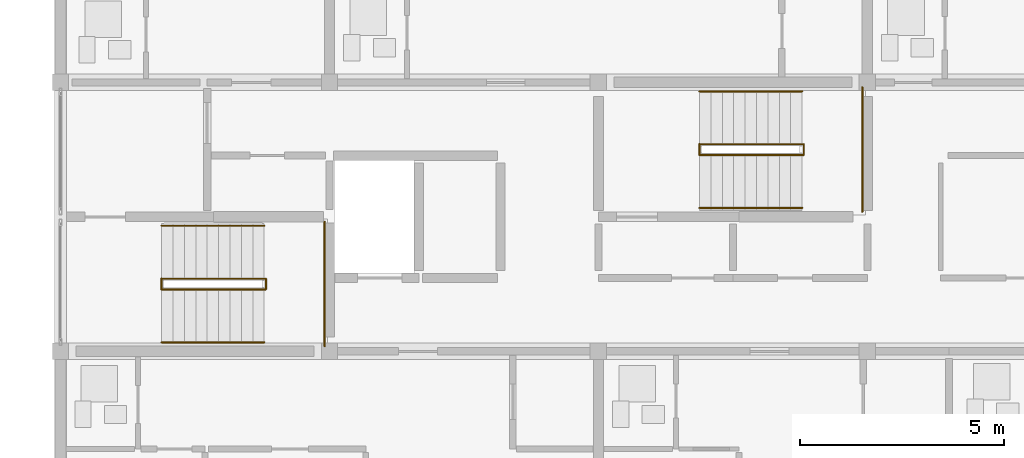
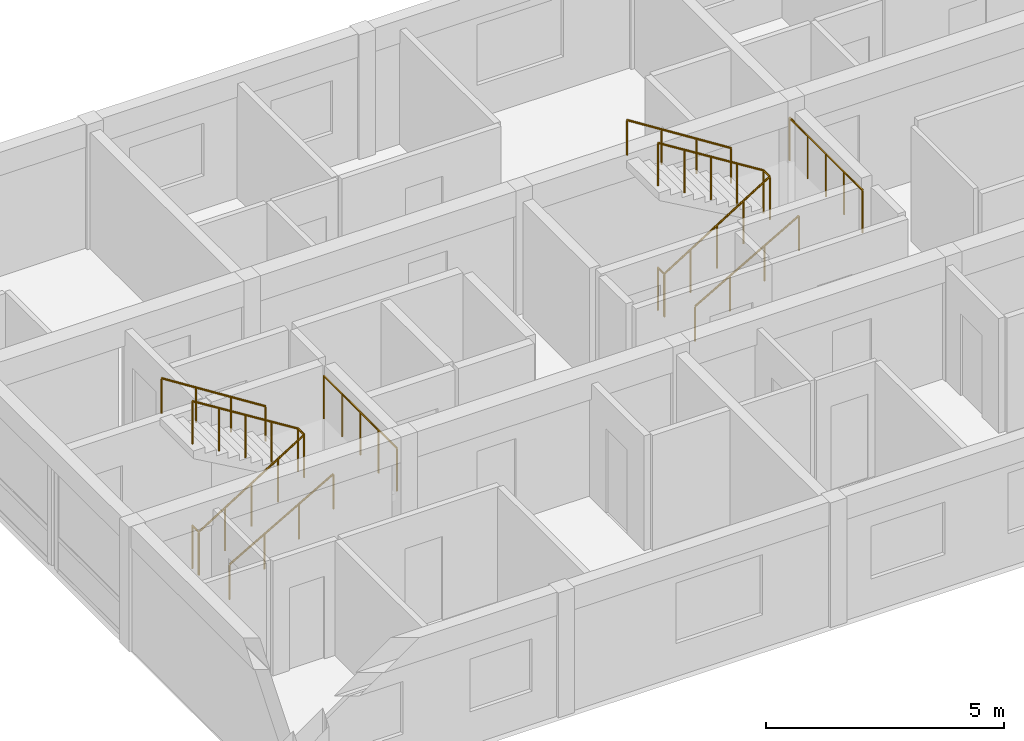
# One storey, part 32 of 34: 10 railings.
"""IFC4 building model written with IfcOpenShell, lengths in metres."""

from ifc_helpers import new_model, si_unit, direction, frame, origin, origin_2d, place, context, subcontext, project, spatial, circle, extrude, material, type_object, element, save


model = new_model("IFC4")

# Units and contexts
model_context = context("Model", 3, precision=1e-05, world=origin(), true_north=direction((0.0, 1.0)))
body_context = subcontext(model_context, "Body", "Model", "MODEL_VIEW")
ifc_project = project(units=[si_unit("LENGTHUNIT", "METRE"), si_unit("AREAUNIT", "SQUARE_METRE"), si_unit("VOLUMEUNIT", "CUBIC_METRE"), si_unit("PLANEANGLEUNIT", "RADIAN"), si_unit("MASSUNIT", "GRAM", prefix="KILO")], contexts=[model_context])

# Site, building, storey
site_placement = place(None, origin())
site = spatial("IfcSite", under=ifc_project, at=site_placement, CompositionType="ELEMENT")
building_placement = place(site_placement, origin())
building = spatial("IfcBuilding", under=site, at=building_placement, Name="Kernevlak Ridge Housing Community", CompositionType="ELEMENT")
storey_placement = place(building_placement, frame((0.0, 0.0, 40.39990234375)))
storey = spatial("IfcBuildingStorey", under=building, at=storey_placement, Name="L12", CompositionType="ELEMENT", Elevation=40.39990234375)

# Railings
ifc_material_1 = material(Name="Steel S355", Category="steel")
railing_type_1 = type_object("IfcRailingType", Name="GR-02", PredefinedType="GUARDRAIL", material=ifc_material_1)
railing_1_placement = place(storey_placement, frame((121.8798828125, 90.7099609375, 0.0)))
element("IfcRailing", 1, at=railing_1_placement, inside=storey, type_object=railing_type_1, Name="Stair ST-B1 L12 well slot guard", PredefinedType="GUARDRAIL", context=body_context, shape_type="SweptSolid", body=[
    extrude(circle(Radius=0.02392578125, at=origin_2d()), frame((0.0, 0.0, 1.09619140625), z_axis=(0.0, 1.0, 0.0), x_axis=(-1.0, 0.0, 0.0)), (0.0, 0.0, 1.0), 0.280029296875),
    extrude(circle(Radius=0.02099609375, at=origin_2d()), origin(), (0.0, 0.0, 1.0), 1.072021484375),
    extrude(circle(Radius=0.02099609375, at=origin_2d()), frame((0.0, 0.280029296875, 0.0)), (0.0, 0.0, 1.0), 1.072021484375),
])
railing_2_placement = place(storey_placement, frame((121.8798828125, 90.719970703125, 0.0)))
element("IfcRailing", 2, at=railing_2_placement, inside=storey, type_object=railing_type_1, Name="Stair ST-B1 L12 inner well guardrail", PredefinedType="GUARDRAIL", context=body_context, shape_type="SweptSolid", body=[
    extrude(circle(Radius=0.02392578125, at=origin_2d()), frame((0.0, 0.0, 1.09619140625), z_axis=(0.847989217509, 0.0, 0.530013478119), x_axis=(0.0, 1.0, 0.0)), (0.0, 0.0, 1.0), 3.01904296875),
    extrude(circle(Radius=0.02392578125, at=origin_2d()), frame((2.56005859375, 0.0, 2.6962890625), z_axis=(0.0, 1.0, 0.0), x_axis=(-1.0, 0.0, 0.0)), (0.0, 0.0, 1.0), 0.260009765625),
    extrude(circle(Radius=0.02392578125, at=origin_2d()), frame((2.56005859375, 0.260009765625, 2.6962890625), z_axis=(-0.847989217509, 0.0, 0.530013478119), x_axis=(0.0, -1.0, 0.0)), (0.0, 0.0, 1.0), 3.01904296875),
    extrude(circle(Radius=0.02099609375, at=origin_2d()), origin(), (0.0, 0.0, 1.0), 1.072021484375),
    extrude(circle(Radius=0.02099609375, at=origin_2d()), frame((0.64013671875, 0.0, 0.39990234375)), (0.0, 0.0, 1.0), 1.072021484375),
    extrude(circle(Radius=0.02099609375, at=origin_2d()), frame((1.280029296875, 0.0, 0.800048828125)), (0.0, 0.0, 1.0), 1.072021484375),
    extrude(circle(Radius=0.02099609375, at=origin_2d()), frame((1.919921875, 0.0, 1.2001953125)), (0.0, 0.0, 1.0), 1.072021484375),
    extrude(circle(Radius=0.02099609375, at=origin_2d()), frame((2.56005859375, 0.0, 1.60009765625)), (0.0, 0.0, 1.0), 1.072021484375),
    extrude(circle(Radius=0.02099609375, at=origin_2d()), frame((2.56005859375, 0.260009765625, 1.60009765625)), (0.0, 0.0, 1.0), 1.072021484375),
    extrude(circle(Radius=0.02099609375, at=origin_2d()), frame((1.919921875, 0.260009765625, 2.0)), (0.0, 0.0, 1.0), 1.072021484375),
    extrude(circle(Radius=0.02099609375, at=origin_2d()), frame((1.280029296875, 0.260009765625, 2.400146484375)), (0.0, 0.0, 1.0), 1.072021484375),
    extrude(circle(Radius=0.02099609375, at=origin_2d()), frame((0.64013671875, 0.260009765625, 2.80029296875)), (0.0, 0.0, 1.0), 1.072021484375),
    extrude(circle(Radius=0.02099609375, at=origin_2d()), frame((0.0, 0.260009765625, 3.2001953125)), (0.0, 0.0, 1.0), 1.072021484375),
])
railing_3_placement = place(storey_placement, frame((125.8798828125, 89.320068359375, 1.60009765625)))
element("IfcRailing", 3, at=railing_3_placement, inside=storey, type_object=railing_type_1, Name="Stair ST-B1 L12 half-landing guard", PredefinedType="GUARDRAIL", context=body_context, shape_type="SweptSolid", body=[
    extrude(circle(Radius=0.02392578125, at=origin_2d()), frame((0.0, 0.0, 1.09619140625), z_axis=(0.0, 1.0, 0.0), x_axis=(-1.0, 0.0, 0.0)), (0.0, 0.0, 1.0), 3.059814453125),
    extrude(circle(Radius=0.02099609375, at=origin_2d()), origin(), (0.0, 0.0, 1.0), 1.072021484375),
    extrude(circle(Radius=0.02099609375, at=origin_2d()), frame((0.0, 0.764892578125, 0.0)), (0.0, 0.0, 1.0), 1.072021484375),
    extrude(circle(Radius=0.02099609375, at=origin_2d()), frame((0.0, 1.52978515625, 0.0)), (0.0, 0.0, 1.0), 1.072021484375),
    extrude(circle(Radius=0.02099609375, at=origin_2d()), frame((0.0, 2.294921875, 0.0)), (0.0, 0.0, 1.0), 1.072021484375),
    extrude(circle(Radius=0.02099609375, at=origin_2d()), frame((0.0, 3.059814453125, 0.0)), (0.0, 0.0, 1.0), 1.072021484375),
])
railing_4_placement = place(storey_placement, frame((135.080078125, 94.010009765625, 0.0)))
element("IfcRailing", 4, at=railing_4_placement, inside=storey, type_object=railing_type_1, Name="Stair ST-B2 L12 well slot guard", PredefinedType="GUARDRAIL", context=body_context, shape_type="SweptSolid", body=[
    extrude(circle(Radius=0.02392578125, at=origin_2d()), frame((0.0, 0.0, 1.09619140625), z_axis=(0.0, 1.0, 0.0), x_axis=(-1.0, 0.0, 0.0)), (0.0, 0.0, 1.0), 0.280029296875),
    extrude(circle(Radius=0.02099609375, at=origin_2d()), origin(), (0.0, 0.0, 1.0), 1.072021484375),
    extrude(circle(Radius=0.02099609375, at=origin_2d()), frame((0.0, 0.280029296875, 0.0)), (0.0, 0.0, 1.0), 1.072021484375),
])
railing_5_placement = place(storey_placement, frame((135.080078125, 94.02001953125, 0.0)))
element("IfcRailing", 5, at=railing_5_placement, inside=storey, type_object=railing_type_1, Name="Stair ST-B2 L12 inner well guardrail", PredefinedType="GUARDRAIL", context=body_context, shape_type="SweptSolid", body=[
    extrude(circle(Radius=0.02392578125, at=origin_2d()), frame((0.0, 0.0, 1.09619140625), z_axis=(0.847966497998, 0.0, 0.530049826217), x_axis=(0.0, 1.0, 0.0)), (0.0, 0.0, 1.0), 3.018798828125),
    extrude(circle(Radius=0.02392578125, at=origin_2d()), frame((2.559814453125, 0.0, 2.6962890625), z_axis=(0.0, 1.0, 0.0), x_axis=(-1.0, 0.0, 0.0)), (0.0, 0.0, 1.0), 0.260009765625),
    extrude(circle(Radius=0.02392578125, at=origin_2d()), frame((2.559814453125, 0.260009765625, 2.6962890625), z_axis=(-0.847966497998, 0.0, 0.530049826217), x_axis=(0.0, -1.0, 0.0)), (0.0, 0.0, 1.0), 3.018798828125),
    extrude(circle(Radius=0.02099609375, at=origin_2d()), origin(), (0.0, 0.0, 1.0), 1.072021484375),
    extrude(circle(Radius=0.02099609375, at=origin_2d()), frame((0.639892578125, 0.0, 0.39990234375)), (0.0, 0.0, 1.0), 1.072021484375),
    extrude(circle(Radius=0.02099609375, at=origin_2d()), frame((1.27978515625, 0.0, 0.800048828125)), (0.0, 0.0, 1.0), 1.072021484375),
    extrude(circle(Radius=0.02099609375, at=origin_2d()), frame((1.919921875, 0.0, 1.2001953125)), (0.0, 0.0, 1.0), 1.072021484375),
    extrude(circle(Radius=0.02099609375, at=origin_2d()), frame((2.559814453125, 0.0, 1.60009765625)), (0.0, 0.0, 1.0), 1.072021484375),
    extrude(circle(Radius=0.02099609375, at=origin_2d()), frame((2.559814453125, 0.260009765625, 1.60009765625)), (0.0, 0.0, 1.0), 1.072021484375),
    extrude(circle(Radius=0.02099609375, at=origin_2d()), frame((1.919921875, 0.260009765625, 2.0)), (0.0, 0.0, 1.0), 1.072021484375),
    extrude(circle(Radius=0.02099609375, at=origin_2d()), frame((1.27978515625, 0.260009765625, 2.400146484375)), (0.0, 0.0, 1.0), 1.072021484375),
    extrude(circle(Radius=0.02099609375, at=origin_2d()), frame((0.639892578125, 0.260009765625, 2.80029296875)), (0.0, 0.0, 1.0), 1.072021484375),
    extrude(circle(Radius=0.02099609375, at=origin_2d()), frame((0.0, 0.260009765625, 3.2001953125)), (0.0, 0.0, 1.0), 1.072021484375),
])
railing_6_placement = place(storey_placement, frame((139.080078125, 92.6201171875, 1.60009765625)))
element("IfcRailing", 6, at=railing_6_placement, inside=storey, type_object=railing_type_1, Name="Stair ST-B2 L12 half-landing guard", PredefinedType="GUARDRAIL", context=body_context, shape_type="SweptSolid", body=[
    extrude(circle(Radius=0.02392578125, at=origin_2d()), frame((0.0, 0.0, 1.09619140625), z_axis=(0.0, 1.0, 0.0), x_axis=(-1.0, 0.0, 0.0)), (0.0, 0.0, 1.0), 3.059814453125),
    extrude(circle(Radius=0.02099609375, at=origin_2d()), origin(), (0.0, 0.0, 1.0), 1.072021484375),
    extrude(circle(Radius=0.02099609375, at=origin_2d()), frame((0.0, 0.764892578125, 0.0)), (0.0, 0.0, 1.0), 1.072021484375),
    extrude(circle(Radius=0.02099609375, at=origin_2d()), frame((0.0, 1.52978515625, 0.0)), (0.0, 0.0, 1.0), 1.072021484375),
    extrude(circle(Radius=0.02099609375, at=origin_2d()), frame((0.0, 2.294921875, 0.0)), (0.0, 0.0, 1.0), 1.072021484375),
    extrude(circle(Radius=0.02099609375, at=origin_2d()), frame((0.0, 3.059814453125, 0.0)), (0.0, 0.0, 1.0), 1.072021484375),
])
ifc_material_2 = material(Name="Stainless steel EN 1.4401", Category="steel")
railing_type_2 = type_object("IfcRailingType", Name="HR-01", PredefinedType="HANDRAIL", material=ifc_material_2)
railing_7_placement = place(storey_placement, frame((121.8798828125, 89.419921875, 0.16015625)))
element("IfcRailing", 7, at=railing_7_placement, inside=storey, type_object=railing_type_2, Name="Stair ST-B1 L12 flight 1 handrail", PredefinedType="HANDRAIL", context=body_context, shape_type="SweptSolid", body=[
    extrude(circle(Radius=0.02392578125, at=origin_2d()), frame((0.0, 0.0, 0.89599609375), z_axis=(0.868253494771, 0.0, 0.496120820787), x_axis=(0.0, 1.0, 0.0)), (0.0, 0.0, 1.0), 2.90234375),
    extrude(circle(Radius=0.02099609375, at=origin_2d()), origin(), (0.0, 0.0, 1.0), 0.871826171875),
    extrude(circle(Radius=0.02099609375, at=origin_2d()), frame((0.840087890625, 0.0, 0.47998046875)), (0.0, 0.0, 1.0), 0.871826171875),
    extrude(circle(Radius=0.02099609375, at=origin_2d()), frame((1.679931640625, 0.0, 0.9599609375)), (0.0, 0.0, 1.0), 0.871826171875),
    extrude(circle(Radius=0.02099609375, at=origin_2d()), frame((2.52001953125, 0.0, 1.43994140625)), (0.0, 0.0, 1.0), 0.871826171875),
])
railing_8_placement = place(storey_placement, frame((124.39990234375, 92.280029296875, 1.60009765625)))
element("IfcRailing", 8, at=railing_8_placement, inside=storey, type_object=railing_type_2, Name="Stair ST-B1 L12 flight 2 handrail", PredefinedType="HANDRAIL", context=body_context, shape_type="SweptSolid", body=[
    extrude(circle(Radius=0.02392578125, at=origin_2d()), frame((0.0, 0.0, 0.89599609375), z_axis=(-0.844199891302, 0.0, 0.536028491338), x_axis=(0.0, -1.0, 0.0)), (0.0, 0.0, 1.0), 2.985107421875),
    extrude(circle(Radius=0.02099609375, at=origin_2d()), origin(), (0.0, 0.0, 1.0), 0.871826171875),
    extrude(circle(Radius=0.02099609375, at=origin_2d()), frame((-0.840087890625, 0.0, 0.533447265625)), (0.0, 0.0, 1.0), 0.871826171875),
    extrude(circle(Radius=0.02099609375, at=origin_2d()), frame((-1.679931640625, 0.0, 1.066650390625)), (0.0, 0.0, 1.0), 0.871826171875),
    extrude(circle(Radius=0.02099609375, at=origin_2d()), frame((-2.52001953125, 0.0, 1.60009765625)), (0.0, 0.0, 1.0), 0.871826171875),
])
railing_9_placement = place(storey_placement, frame((135.080078125, 92.719970703125, 0.16015625)))
element("IfcRailing", 9, at=railing_9_placement, inside=storey, type_object=railing_type_2, Name="Stair ST-B2 L12 flight 1 handrail", PredefinedType="HANDRAIL", context=body_context, shape_type="SweptSolid", body=[
    extrude(circle(Radius=0.02392578125, at=origin_2d()), frame((0.0, 0.0, 0.89599609375), z_axis=(0.868253494771, 0.0, 0.496120820787), x_axis=(0.0, 1.0, 0.0)), (0.0, 0.0, 1.0), 2.90234375),
    extrude(circle(Radius=0.02099609375, at=origin_2d()), origin(), (0.0, 0.0, 1.0), 0.871826171875),
    extrude(circle(Radius=0.02099609375, at=origin_2d()), frame((0.840087890625, 0.0, 0.47998046875)), (0.0, 0.0, 1.0), 0.871826171875),
    extrude(circle(Radius=0.02099609375, at=origin_2d()), frame((1.679931640625, 0.0, 0.9599609375)), (0.0, 0.0, 1.0), 0.871826171875),
    extrude(circle(Radius=0.02099609375, at=origin_2d()), frame((2.52001953125, 0.0, 1.43994140625)), (0.0, 0.0, 1.0), 0.871826171875),
])
railing_10_placement = place(storey_placement, frame((137.60009765625, 95.580078125, 1.60009765625)))
element("IfcRailing", 10, at=railing_10_placement, inside=storey, type_object=railing_type_2, Name="Stair ST-B2 L12 flight 2 handrail", PredefinedType="HANDRAIL", context=body_context, shape_type="SweptSolid", body=[
    extrude(circle(Radius=0.02392578125, at=origin_2d()), frame((0.0, 0.0, 0.89599609375), z_axis=(-0.844199891302, 0.0, 0.536028491338), x_axis=(0.0, -1.0, 0.0)), (0.0, 0.0, 1.0), 2.985107421875),
    extrude(circle(Radius=0.02099609375, at=origin_2d()), origin(), (0.0, 0.0, 1.0), 0.871826171875),
    extrude(circle(Radius=0.02099609375, at=origin_2d()), frame((-0.840087890625, 0.0, 0.533447265625)), (0.0, 0.0, 1.0), 0.871826171875),
    extrude(circle(Radius=0.02099609375, at=origin_2d()), frame((-1.679931640625, 0.0, 1.066650390625)), (0.0, 0.0, 1.0), 0.871826171875),
    extrude(circle(Radius=0.02099609375, at=origin_2d()), frame((-2.52001953125, 0.0, 1.60009765625)), (0.0, 0.0, 1.0), 0.871826171875),
])

save(model, "model.ifc")
